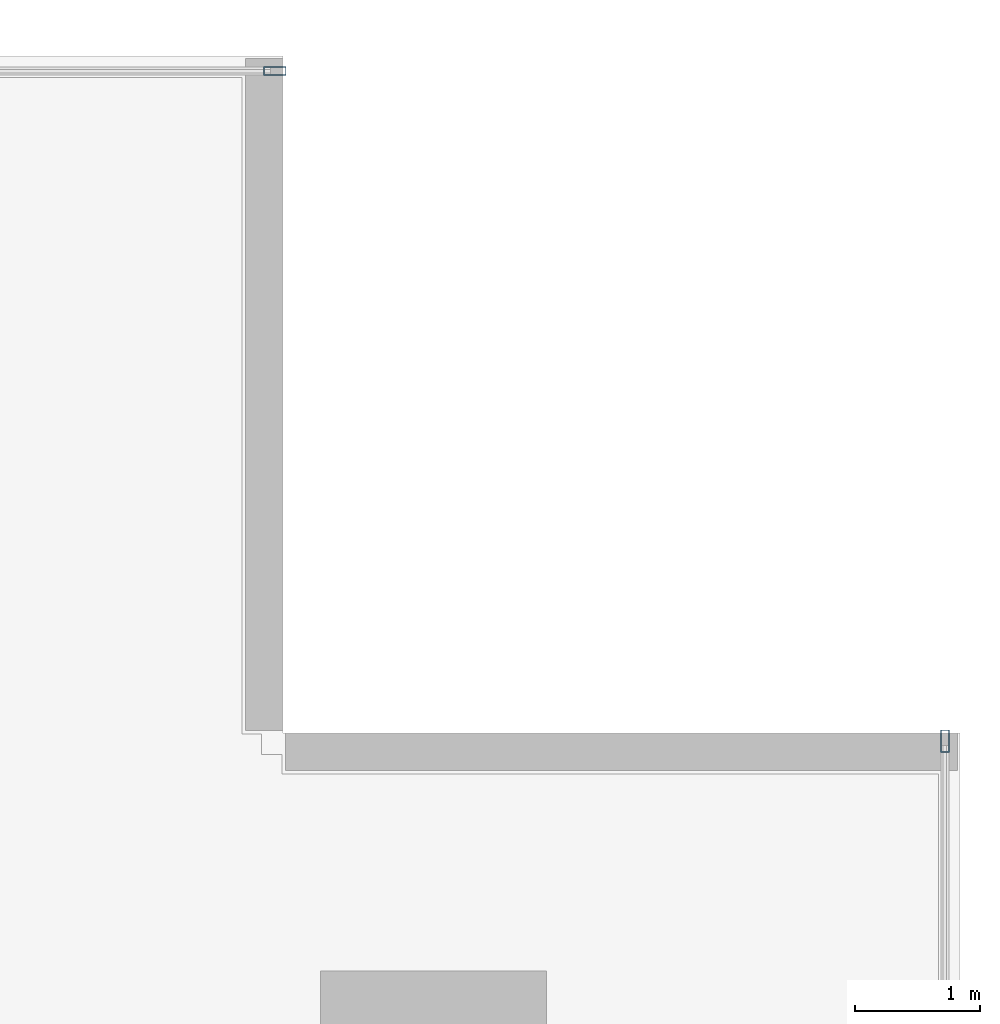
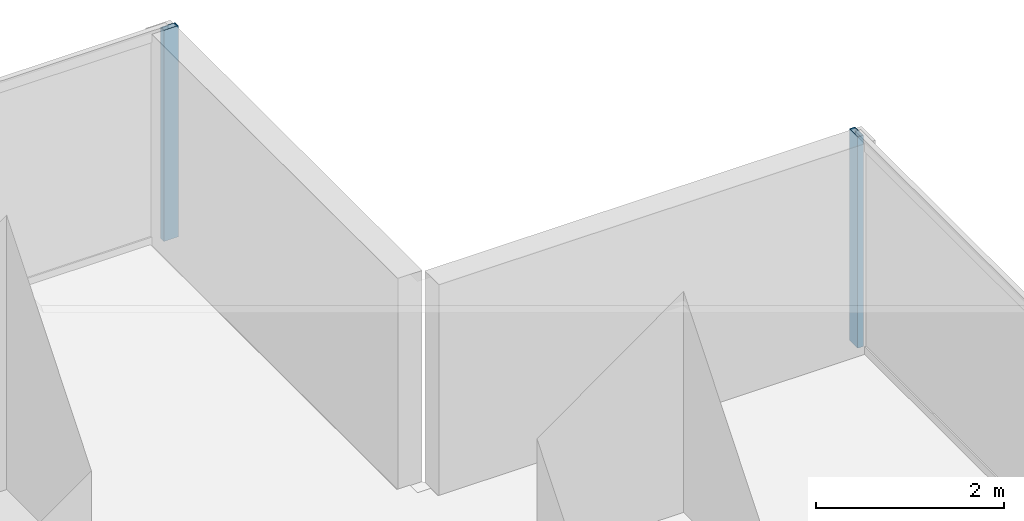
# One storey, part 23 of 33: 2 members, 2 elements without a shape of their own.
"""IFC4 building model written with IfcOpenShell, lengths in metres."""

from ifc_helpers import new_model, si_unit, direction, frame, origin, origin_2d, place, context, subcontext, project, spatial, hollow_rectangle, extrude, source, transform, mapped, material, layer, layer_set, material_profile, profile_set, type_object, element, aggregate, save


model = new_model("IFC4")

# Units and contexts
model_context = context("Model", 3, precision=1e-05, world=origin(), true_north=direction((0.0, 1.0)))
body_context = subcontext(model_context, "Body", "Model", "MODEL_VIEW")
ifc_project = project(units=[si_unit("LENGTHUNIT", "METRE"), si_unit("AREAUNIT", "SQUARE_METRE"), si_unit("VOLUMEUNIT", "CUBIC_METRE"), si_unit("PLANEANGLEUNIT", "RADIAN"), si_unit("MASSUNIT", "GRAM", prefix="KILO")], contexts=[model_context])

# Site, building, storey
site_placement = place(None, origin())
site = spatial("IfcSite", under=ifc_project, at=site_placement, CompositionType="ELEMENT")
building_placement = place(site_placement, origin())
building = spatial("IfcBuilding", under=site, at=building_placement, Name="Sumidabori Civic Tower", CompositionType="ELEMENT")
storey_placement = place(building_placement, frame((0.0, 0.0, 59.60009765625)))
storey = spatial("IfcBuildingStorey", under=building, at=storey_placement, Name="L15", CompositionType="ELEMENT", Elevation=59.60009765625)

# Curtain wall, member
ifc_material = material(Name="Anodised Bronze Aluminium AW-6063-T6", Category="aluminium")
ifc_layer = layer(ifc_material, 0.179931640625, Name="Anodised Bronze Aluminium AW-6063-T6")
ifc_layer_set = layer_set([ifc_layer], Name="Anodised Bronze Aluminium AW-6063-T6")
curtain_wall_type = type_object("IfcCurtainWallType", Name="CW-SYS-2", PredefinedType="NOTDEFINED", material=ifc_layer_set)
curtain_wall_1_placement = place(storey_placement, origin())
curtain_wall_1 = element("IfcCurtainWall", 1, at=curtain_wall_1_placement, inside=storey, type_object=curtain_wall_type, Name="Curtain Wall CW:L15:R04", PredefinedType="NOTDEFINED")
ifc_material_profile = material_profile(ifc_material, hollow_rectangle(XDim=0.070068359375, YDim=0.179931640625, WallThickness=0.006103515625, at=origin_2d()), Name="ALU MULLION 180x70")
ifc_profile_set = profile_set([ifc_material_profile], Name="Anodised Bronze Aluminium AW-6063-T6")
member_type = type_object("IfcMemberType", Name="CW-MUL-180", PredefinedType="MULLION", material=ifc_profile_set)
shared_shape = source(origin(), body_context, "Body", "SweptSolid", [
    extrude(hollow_rectangle(XDim=0.070068359375, YDim=0.179931640625, WallThickness=0.006103515625, at=origin_2d()), origin(), (0.0, 0.0, 1.0), 2.739990234375),
])
member_1_placement = place(storey_placement, frame((26.8798828125, 21.534912109375, 0.0), z_axis=(0.0, 0.0, 1.0), x_axis=(-1.0, 0.0, 0.0)))
member_1 = element("IfcMember", 2, at=member_1_placement, type_object=member_type, Name="CW-2 mullion 6", PredefinedType="MULLION", context=body_context, shape_type="MappedRepresentation", body=[
    mapped(shared_shape, transform((0.0, 0.0, 0.0), x_axis=(1.0, 0.0, 0.0), y_axis=(0.0, 1.0, 0.0), z_axis=(0.0, 0.0, 1.0), scale=1.0)),
])
aggregate(curtain_wall_1, [member_1])

curtain_wall_2_placement = place(storey_placement, origin())
curtain_wall_2 = element("IfcCurtainWall", 3, at=curtain_wall_2_placement, inside=storey, type_object=curtain_wall_type, Name="Curtain Wall CW:L15:R07", PredefinedType="NOTDEFINED")
member_2_placement = place(storey_placement, frame((21.534912109375, 26.8798828125, 0.0), z_axis=(0.0, 0.0, 1.0), x_axis=(0.0, -1.0, 0.0)))
member_2 = element("IfcMember", 4, at=member_2_placement, type_object=member_type, Name="CW-2 mullion 1", PredefinedType="MULLION", context=body_context, shape_type="MappedRepresentation", body=[
    mapped(shared_shape, transform((0.0, 0.0, 0.0), x_axis=(1.0, 0.0, 0.0), y_axis=(0.0, 1.0, 0.0), z_axis=(0.0, 0.0, 1.0), scale=1.0)),
])
aggregate(curtain_wall_2, [member_2])

save(model, "model.ifc")
